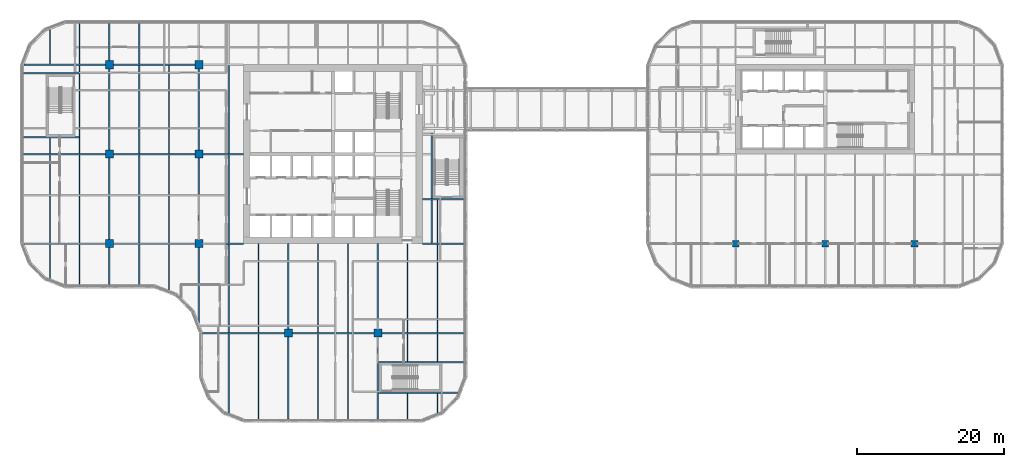
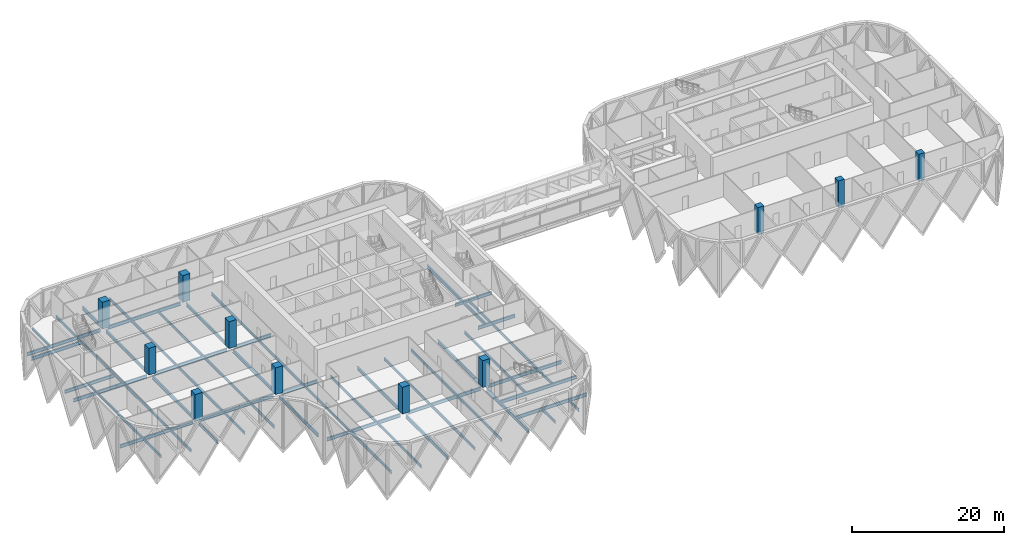
# One storey, part 1 of 30: 61 beams, 11 columns.
"""IFC4 building model written with IfcOpenShell, lengths in metres."""

import ifcopenshell
import ifcopenshell.guid

model = None  # the IFC model being written
_history = None  # IfcOwnerHistory: only IFC2X3 demands one
_inside = {}  # id of a spatial element -> (the spatial element, [elements in it])
_under = {}  # id of a project, library or spatial element -> (it, [spatial elements below it])
_declared = {}  # id of a project -> (the project, [libraries it declares])
_typed = {}  # id of a type object -> (the type object, [elements of that type])
_made_of = {}  # id of a material, layer set ... -> (it, [elements and type objects made of it])


def new_model(schema):
    """Start an empty IFC model of exactly this schema.

    Asked for "IFC4X3", IfcOpenShell would pick the latest addendum, in which some entities
    have other attributes; the version numbers below select the first issue.
    IFC2X3 requires an IfcOwnerHistory on every rooted entity: one is made here for all.
    """
    global model, _history
    if schema == "IFC4X3":
        model = ifcopenshell.file(schema_version=(4, 3, 0, 0))
    else:
        model = ifcopenshell.file(schema=schema)
    _inside.clear()
    _under.clear()
    _declared.clear()
    _typed.clear()
    _made_of.clear()
    _history = None
    if model.schema == "IFC2X3":
        org = make("IfcOrganization", Name="unknown")
        user = make(
            "IfcPersonAndOrganization",
            ThePerson=make("IfcPerson", FamilyName="unknown"),
            TheOrganization=org,
        )
        app = make(
            "IfcApplication",
            ApplicationDeveloper=org,
            Version="unknown",
            ApplicationFullName="unknown",
            ApplicationIdentifier="unknown",
        )
        _history = make(
            "IfcOwnerHistory",
            OwningUser=user,
            OwningApplication=app,
            ChangeAction="ADDED",
            CreationDate=0,
        )
    return model


def make(cls, **values):
    """One entity of the class cls with the attributes given. An attribute that is None is left unset."""
    return model.create_entity(
        cls, **{name: value for name, value in values.items() if value is not None}
    )


def rooted(cls, **values):
    """An entity with a GlobalId (a new one), such as an element, a storey or a relation."""
    return make(cls, GlobalId=ifcopenshell.guid.new(), OwnerHistory=_history, **values)


def si_unit(unit_type, name, prefix=None):
    """IfcSIUnit, for example si_unit("LENGTHUNIT", "METRE", prefix="MILLI")."""
    return make("IfcSIUnit", UnitType=unit_type, Prefix=prefix, Name=name)


def assignment(units):
    """IfcUnitAssignment: the units of a project."""
    return None if units is None else make("IfcUnitAssignment", Units=units)


def point(xyz):
    """IfcCartesianPoint."""
    return None if xyz is None else make("IfcCartesianPoint", Coordinates=xyz)


def direction(xyz):
    """IfcDirection."""
    return None if xyz is None else make("IfcDirection", DirectionRatios=xyz)


def frame(location, z_axis=None, x_axis=None):
    """IfcAxis2Placement3D, a coordinate frame: its origin and axes. An axis left out is left unset."""
    return make(
        "IfcAxis2Placement3D",
        Location=point(location),
        Axis=direction(z_axis),
        RefDirection=direction(x_axis),
    )


def frame_2d(location, x_axis=None):
    """IfcAxis2Placement2D, a coordinate frame in the plane: its origin and x axis."""
    return make(
        "IfcAxis2Placement2D", Location=point(location), RefDirection=direction(x_axis)
    )


def origin():
    """The frame at (0, 0, 0) with its axes left unset."""
    return frame((0.0, 0.0, 0.0))


def origin_2d():
    """The frame at (0, 0) in the plane with its x axis left unset."""
    return frame_2d((0.0, 0.0))


def place(relative_to, where):
    """IfcLocalPlacement: puts the frame where relative to a parent placement (None: the world)."""
    return make(
        "IfcLocalPlacement", PlacementRelTo=relative_to, RelativePlacement=where
    )


def context(
    kind, dimensions, precision=None, world=None, true_north=None, identifier=None
):
    """IfcGeometricRepresentationContext, for example the 3D "Model" context."""
    return make(
        "IfcGeometricRepresentationContext",
        ContextIdentifier=identifier,
        ContextType=kind,
        CoordinateSpaceDimension=dimensions,
        Precision=precision,
        WorldCoordinateSystem=world,
        TrueNorth=true_north,
    )


def subcontext(parent, identifier, kind, view, scale=None):
    """IfcGeometricRepresentationSubContext, for example "Body" below "Model"."""
    return make(
        "IfcGeometricRepresentationSubContext",
        ContextIdentifier=identifier,
        ContextType=kind,
        ParentContext=parent,
        TargetScale=scale,
        TargetView=view,
    )


def project(units=None, contexts=None):
    """IfcProject with its units and contexts."""
    return rooted(
        "IfcProject",
        Name="project",
        RepresentationContexts=contexts,
        UnitsInContext=assignment(units),
    )


def spatial(cls, under=None, at=None, **own):
    """A site, building, storey or space (cls), placed at a placement, below another one or the project."""
    s = rooted(cls, ObjectPlacement=at, **own)
    if under is not None:
        _under.setdefault(under.id(), (under, []))[1].append(s)
    return s


def profile(cls, at=None, kind="AREA", **sizes):
    """A parametric profile (cls). Its sizes go by their IFC names, for example OverallWidth=200.0."""
    return make(cls, ProfileType=kind, Position=at, **sizes)


def rectangle(**sizes):
    """IfcRectangleProfileDef."""
    return profile("IfcRectangleProfileDef", **sizes)


def i_section(**sizes):
    """IfcIShapeProfileDef."""
    return profile("IfcIShapeProfileDef", **sizes)


def extrude(swept, where, along, depth):
    """IfcExtrudedAreaSolid: the profile swept, set in the frame where, extruded along a direction by depth."""
    return make(
        "IfcExtrudedAreaSolid",
        SweptArea=swept,
        Position=where,
        ExtrudedDirection=direction(along),
        Depth=depth,
    )


def shape(context_of_items, identifier, shape_type, items):
    """IfcShapeRepresentation: the items that make up one representation, for example the "Body"."""
    return make(
        "IfcShapeRepresentation",
        ContextOfItems=context_of_items,
        RepresentationIdentifier=identifier,
        RepresentationType=shape_type,
        Items=items,
    )


def material(Name=None, Category=None):
    """IfcMaterial."""
    return make("IfcMaterial", Name=Name, Category=Category)


def material_profile(
    of_material, cross_section, Name=None, Category=None, Priority=None
):
    """IfcMaterialProfile: a cross section and its material."""
    return make(
        "IfcMaterialProfile",
        Name=Name,
        Material=of_material,
        Profile=cross_section,
        Priority=Priority,
        Category=Category,
    )


def profile_set(profiles, Name=None, composite=None):
    """IfcMaterialProfileSet."""
    return make(
        "IfcMaterialProfileSet",
        Name=Name,
        MaterialProfiles=profiles,
        CompositeProfile=composite,
    )


def made_of(thing, what):
    """Note that an element or type object is made of a material, layer set ...; save() writes the relation."""
    if what is not None:
        _made_of.setdefault(what.id(), (what, []))[1].append(thing)
    return thing


def type_object(cls, material=None, **own):
    """A type object (cls), such as IfcWallType, which elements share."""
    return made_of(rooted(cls, **own), material)


def element(
    cls,
    number,
    at=None,
    inside=None,
    cuts=None,
    type_object=None,
    material=None,
    context=None,
    identifier="Body",
    shape_type=None,
    held_by="IfcProductDefinitionShape",
    body=None,
    shapes=None,
    **own,
):
    """One element of the class cls, such as IfcWall. Its Tag is "e" and its number.

    at: its placement. inside: the storey or other place that contains it. cuts: it is an
    opening in that element (IfcRelVoidsElement). A single representation is given by context,
    identifier, shape_type and body (its items); several are given by shapes. held_by: the class
    of the entity that holds the representations. save() writes the other relations.
    """
    e = rooted(cls, Tag="e%d" % number, ObjectPlacement=at, **own)
    if body is not None:
        shapes = [shape(context, identifier, shape_type, body)]
    if shapes is not None:
        e.Representation = make(held_by, Representations=shapes)
    if inside is not None:
        _inside.setdefault(inside.id(), (inside, []))[1].append(e)
    if cuts is not None:
        rooted(
            "IfcRelVoidsElement", RelatingBuildingElement=cuts, RelatedOpeningElement=e
        )
    if type_object is not None:
        _typed.setdefault(type_object.id(), (type_object, []))[1].append(e)
    return made_of(e, material)


def aggregate(whole, parts):
    """IfcRelAggregates: a whole, such as a stair, and the parts it consists of."""
    return rooted("IfcRelAggregates", RelatingObject=whole, RelatedObjects=parts)


def save(model, path):
    """Write the relations noted so far, then the file.

    IfcRelAggregates (storeys below a building ...), IfcRelContainedInSpatialStructure (elements
    in a storey), IfcRelDefinesByType, IfcRelAssociatesMaterial and IfcRelDeclares: one each for
    every whole, place, type object, material and project.
    """
    for whole, parts in _under.values():
        aggregate(whole, parts)
    for where, things in _inside.values():
        rooted(
            "IfcRelContainedInSpatialStructure",
            RelatedElements=things,
            RelatingStructure=where,
        )
    for kind, things in _typed.values():
        rooted("IfcRelDefinesByType", RelatedObjects=things, RelatingType=kind)
    for what, things in _made_of.values():
        rooted("IfcRelAssociatesMaterial", RelatedObjects=things, RelatingMaterial=what)
    for by, libraries in _declared.values():
        rooted("IfcRelDeclares", RelatingContext=by, RelatedDefinitions=libraries)
    model.write(path)


model = new_model("IFC4")

# Units and contexts
model_context = context("Model", 3, precision=1e-05, world=origin(), true_north=direction((0.0, 1.0)))
body_context = subcontext(model_context, "Body", "Model", "MODEL_VIEW")
ifc_project = project(units=[si_unit("LENGTHUNIT", "METRE"), si_unit("AREAUNIT", "SQUARE_METRE"), si_unit("VOLUMEUNIT", "CUBIC_METRE"), si_unit("PLANEANGLEUNIT", "RADIAN"), si_unit("MASSUNIT", "GRAM", prefix="KILO")], contexts=[model_context])

# Site, building, storey
site_placement = place(None, origin())
site = spatial("IfcSite", under=ifc_project, at=site_placement, CompositionType="ELEMENT")
building_placement = place(site_placement, origin())
building = spatial("IfcBuilding", under=site, at=building_placement, Name="Tessera Gate Towers", CompositionType="ELEMENT")
storey_placement = place(building_placement, frame((0.0, 0.0, 21.300048828125)))
storey = spatial("IfcBuildingStorey", under=building, at=storey_placement, Name="L04", CompositionType="ELEMENT", Elevation=21.300048828125)

# Columns
ifc_material_1 = material(Name="Concrete C70/85", Category="concrete")
ifc_material_profile_1 = material_profile(ifc_material_1, rectangle(XDim=1.10009765625, YDim=1.10009765625, at=origin_2d()), Name="RC 1100x1100")
ifc_profile_set_1 = profile_set([ifc_material_profile_1], Name="Concrete C70/85")
column_type_1 = type_object("IfcColumnType", Name="COLUMN RC 1100x1100", PredefinedType="COLUMN", material=ifc_profile_set_1)
for number, where, z_axis, x_axis, name in (
    (1, (12.199951171875, 24.39990234375, 0.0), (0.0, 0.0, 1.0), (1.0, 0.0, 0.0), "T1-COL-2C-L04"),
    (2, (12.199951171875, 36.60009765625, 0.0), (0.0, 0.0, 1.0), (1.0, 0.0, 0.0), "T1-COL-2D-L04"),
    (3, (12.199951171875, 48.800048828125, 0.0), (0.0, 0.0, 1.0), (1.0, 0.0, 0.0), "T1-COL-2E-L04"),
    (4, (24.39990234375, 24.39990234375, 0.0), (0.0, 0.0, 1.0), (1.0, 0.0, 0.0), "T1-COL-3C-L04"),
    (5, (24.39990234375, 36.60009765625, 0.0), (0.0, 0.0, 1.0), (1.0, 0.0, 0.0), "T1-COL-3D-L04"),
    (6, (24.39990234375, 48.800048828125, 0.0), (0.0, 0.0, 1.0), (1.0, 0.0, 0.0), "T1-COL-3E-L04"),
    (7, (36.60009765625, 12.199951171875, 0.0), (0.0, 0.0, 1.0), (1.0, 0.0, 0.0), "T1-COL-4B-L04"),
    (8, (48.800048828125, 12.199951171875, 0.0), (0.0, 0.0, 1.0), (1.0, 0.0, 0.0), "T1-COL-5B-L04"),
):
    element("IfcColumn", number, at=place(storey_placement, frame(where, z_axis=z_axis, x_axis=x_axis)), inside=storey, type_object=column_type_1, Name=name, PredefinedType="COLUMN", context=body_context, shape_type="SweptSolid", body=[
        extrude(rectangle(XDim=1.10009765625, YDim=1.10009765625, at=origin_2d()), origin(), (0.0, 0.0, 1.0), 4.300048828125),
    ])
ifc_material_2 = material(Name="Concrete C70/85", Category="concrete")
ifc_material_profile_2 = material_profile(ifc_material_2, rectangle(XDim=0.89990234375, YDim=0.89990234375, at=origin_2d()), Name="RC 900x900")
ifc_profile_set_2 = profile_set([ifc_material_profile_2], Name="Concrete C70/85")
column_type_2 = type_object("IfcColumnType", Name="COLUMN RC 900x900", PredefinedType="COLUMN", material=ifc_profile_set_2)
for number, where, z_axis, x_axis, name in (
    (9, (97.60009765625, 24.39990234375, 0.0), (0.0, 0.0, 1.0), (1.0, 0.0, 0.0), "T2-COL-9C-L04"),
    (10, (109.800048828125, 24.39990234375, 0.0), (0.0, 0.0, 1.0), (1.0, 0.0, 0.0), "T2-COL-10C-L04"),
    (11, (122.0, 24.39990234375, 0.0), (0.0, 0.0, 1.0), (1.0, 0.0, 0.0), "T2-COL-11C-L04"),
):
    element("IfcColumn", number, at=place(storey_placement, frame(where, z_axis=z_axis, x_axis=x_axis)), inside=storey, type_object=column_type_2, Name=name, PredefinedType="COLUMN", context=body_context, shape_type="SweptSolid", body=[
        extrude(rectangle(XDim=0.89990234375, YDim=0.89990234375, at=origin_2d()), origin(), (0.0, 0.0, 1.0), 4.300048828125),
    ])

# Beams
ifc_material_3 = material(Name="Steel 350W", Category="steel")
ifc_material_profile_3 = material_profile(ifc_material_3, i_section(OverallWidth=0.208984375, OverallDepth=0.532958984375, WebThickness=0.01025390625, FlangeThickness=0.015625, at=origin_2d()), Name="W530x92")
ifc_profile_set_3 = profile_set([ifc_material_profile_3], Name="Steel 350W")
beam_type_1 = type_object("IfcBeamType", Name="FLOOR GIRDER W530x92", PredefinedType="BEAM", material=ifc_profile_set_3)
beam_1_placement = place(storey_placement, frame((24.89892578125, 12.199951171875, -0.466552734375), z_axis=(1.0, 0.0, 0.0), x_axis=(0.0, 1.0, 0.0)))
element("IfcBeam", 12, at=beam_1_placement, inside=storey, type_object=beam_type_1, Name="T1-GD-L04-791", PredefinedType="BEAM", context=body_context, shape_type="SweptSolid", body=[
    extrude(i_section(OverallWidth=0.208984375, OverallDepth=0.532958984375, WebThickness=0.01025390625, FlangeThickness=0.015625, at=origin_2d()), origin(), (0.0, 0.0, 1.0), 11.151123046875),
])
beam_2_placement = place(storey_placement, frame((37.14990234375, 12.199951171875, -0.466552734375), z_axis=(1.0, 0.0, 0.0), x_axis=(0.0, 1.0, 0.0)))
element("IfcBeam", 13, at=beam_2_placement, inside=storey, type_object=beam_type_1, Name="T1-GD-L04-792", PredefinedType="BEAM", context=body_context, shape_type="SweptSolid", body=[
    extrude(i_section(OverallWidth=0.208984375, OverallDepth=0.532958984375, WebThickness=0.01025390625, FlangeThickness=0.015625, at=origin_2d()), origin(), (0.0, 0.0, 1.0), 11.10009765625),
])
beam_3_placement = place(storey_placement, frame((49.35009765625, 12.199951171875, -0.466552734375), z_axis=(1.0, 0.0, 0.0), x_axis=(0.0, 1.0, 0.0)))
element("IfcBeam", 14, at=beam_3_placement, inside=storey, type_object=beam_type_1, Name="T1-GD-L04-793", PredefinedType="BEAM", context=body_context, shape_type="SweptSolid", body=[
    extrude(i_section(OverallWidth=0.208984375, OverallDepth=0.532958984375, WebThickness=0.01025390625, FlangeThickness=0.015625, at=origin_2d()), origin(), (0.0, 0.0, 1.0), 11.15087890625),
])
beam_4_placement = place(storey_placement, frame((0.534912109375, 24.39990234375, -0.466552734375), z_axis=(1.0, 0.0, 0.0), x_axis=(0.0, 1.0, 0.0)))
element("IfcBeam", 15, at=beam_4_placement, inside=storey, type_object=beam_type_1, Name="T1-GD-L04-794", PredefinedType="BEAM", context=body_context, shape_type="SweptSolid", body=[
    extrude(i_section(OverallWidth=0.208984375, OverallDepth=0.532958984375, WebThickness=0.01025390625, FlangeThickness=0.015625, at=origin_2d()), origin(), (0.0, 0.0, 1.0), 11.114990234375),
])
beam_5_placement = place(storey_placement, frame((12.75, 24.39990234375, -0.466552734375), z_axis=(1.0, 0.0, 0.0), x_axis=(0.0, 1.0, 0.0)))
element("IfcBeam", 16, at=beam_5_placement, inside=storey, type_object=beam_type_1, Name="T1-GD-L04-795", PredefinedType="BEAM", context=body_context, shape_type="SweptSolid", body=[
    extrude(i_section(OverallWidth=0.208984375, OverallDepth=0.532958984375, WebThickness=0.01025390625, FlangeThickness=0.015625, at=origin_2d()), origin(), (0.0, 0.0, 1.0), 11.10009765625),
])
beam_6_placement = place(storey_placement, frame((24.949951171875, 24.39990234375, -0.466552734375), z_axis=(1.0, 0.0, 0.0), x_axis=(0.0, 1.0, 0.0)))
element("IfcBeam", 17, at=beam_6_placement, inside=storey, type_object=beam_type_1, Name="T1-GD-L04-796", PredefinedType="BEAM", context=body_context, shape_type="SweptSolid", body=[
    extrude(i_section(OverallWidth=0.208984375, OverallDepth=0.532958984375, WebThickness=0.01025390625, FlangeThickness=0.015625, at=origin_2d()), origin(), (0.0, 0.0, 1.0), 5.549072265625),
])
beam_7_placement = place(storey_placement, frame((54.90087890625, 24.39990234375, -0.466552734375), z_axis=(1.0, 0.0, 0.0), x_axis=(0.0, 1.0, 0.0)))
element("IfcBeam", 18, at=beam_7_placement, inside=storey, type_object=beam_type_1, Name="T1-GD-L04-797", PredefinedType="BEAM", context=body_context, shape_type="SweptSolid", body=[
    extrude(i_section(OverallWidth=0.208984375, OverallDepth=0.532958984375, WebThickness=0.01025390625, FlangeThickness=0.015625, at=origin_2d()), origin(), (0.0, 0.0, 1.0), 5.60009765625),
])
beam_8_placement = place(storey_placement, frame((0.4990234375, 36.60009765625, -0.466552734375), z_axis=(1.0, 0.0, 0.0), x_axis=(0.0, 1.0, 0.0)))
element("IfcBeam", 19, at=beam_8_placement, inside=storey, type_object=beam_type_1, Name="T1-GD-L04-798", PredefinedType="BEAM", context=body_context, shape_type="SweptSolid", body=[
    extrude(i_section(OverallWidth=0.208984375, OverallDepth=0.532958984375, WebThickness=0.01025390625, FlangeThickness=0.015625, at=origin_2d()), origin(), (0.0, 0.0, 1.0), 11.15087890625),
])
beam_9_placement = place(storey_placement, frame((12.75, 36.60009765625, -0.466552734375), z_axis=(1.0, 0.0, 0.0), x_axis=(0.0, 1.0, 0.0)))
element("IfcBeam", 20, at=beam_9_placement, inside=storey, type_object=beam_type_1, Name="T1-GD-L04-799", PredefinedType="BEAM", context=body_context, shape_type="SweptSolid", body=[
    extrude(i_section(OverallWidth=0.208984375, OverallDepth=0.532958984375, WebThickness=0.01025390625, FlangeThickness=0.015625, at=origin_2d()), origin(), (0.0, 0.0, 1.0), 11.10009765625),
])
beam_10_placement = place(storey_placement, frame((24.949951171875, 36.60009765625, -0.466552734375), z_axis=(1.0, 0.0, 0.0), x_axis=(0.0, 1.0, 0.0)))
element("IfcBeam", 21, at=beam_10_placement, inside=storey, type_object=beam_type_1, Name="T1-GD-L04-800", PredefinedType="BEAM", context=body_context, shape_type="SweptSolid", body=[
    extrude(i_section(OverallWidth=0.208984375, OverallDepth=0.532958984375, WebThickness=0.01025390625, FlangeThickness=0.015625, at=origin_2d()), origin(), (0.0, 0.0, 1.0), 5.551025390625),
])
beam_11_placement = place(storey_placement, frame((0.534912109375, 48.800048828125, -0.466552734375), z_axis=(1.0, 0.0, 0.0), x_axis=(0.0, 1.0, 0.0)))
element("IfcBeam", 22, at=beam_11_placement, inside=storey, type_object=beam_type_1, Name="T1-GD-L04-802", PredefinedType="BEAM", context=body_context, shape_type="SweptSolid", body=[
    extrude(i_section(OverallWidth=0.208984375, OverallDepth=0.532958984375, WebThickness=0.01025390625, FlangeThickness=0.015625, at=origin_2d()), origin(), (0.0, 0.0, 1.0), 11.114990234375),
])
beam_12_placement = place(storey_placement, frame((12.75, 48.800048828125, -0.466552734375), z_axis=(1.0, 0.0, 0.0), x_axis=(0.0, 1.0, 0.0)))
element("IfcBeam", 23, at=beam_12_placement, inside=storey, type_object=beam_type_1, Name="T1-GD-L04-803", PredefinedType="BEAM", context=body_context, shape_type="SweptSolid", body=[
    extrude(i_section(OverallWidth=0.208984375, OverallDepth=0.532958984375, WebThickness=0.01025390625, FlangeThickness=0.015625, at=origin_2d()), origin(), (0.0, 0.0, 1.0), 11.10009765625),
])
beam_13_placement = place(storey_placement, frame((12.199951171875, 18.799072265625, -0.466552734375), z_axis=(0.0, 1.0, 0.0), x_axis=(-1.0, 0.0, 0.0)))
element("IfcBeam", 24, at=beam_13_placement, inside=storey, type_object=beam_type_1, Name="T1-GD-L04-806", PredefinedType="BEAM", context=body_context, shape_type="SweptSolid", body=[
    extrude(i_section(OverallWidth=0.208984375, OverallDepth=0.532958984375, WebThickness=0.01025390625, FlangeThickness=0.015625, at=origin_2d()), origin(), (0.0, 0.0, 1.0), 5.051025390625),
])
for number, where, z_axis, x_axis, name in (
    (25, (12.199951171875, 24.949951171875, -0.466552734375), (0.0, 1.0, 0.0), (-1.0, 0.0, 0.0), "T1-GD-L04-807"),
    (26, (12.199951171875, 37.14990234375, -0.466552734375), (0.0, 1.0, 0.0), (-1.0, 0.0, 0.0), "T1-GD-L04-808"),
):
    element("IfcBeam", number, at=place(storey_placement, frame(where, z_axis=z_axis, x_axis=x_axis)), inside=storey, type_object=beam_type_1, Name=name, PredefinedType="BEAM", context=body_context, shape_type="SweptSolid", body=[
        extrude(i_section(OverallWidth=0.208984375, OverallDepth=0.532958984375, WebThickness=0.01025390625, FlangeThickness=0.015625, at=origin_2d()), origin(), (0.0, 0.0, 1.0), 11.10009765625),
    ])
beam_14_placement = place(storey_placement, frame((12.199951171875, 49.35009765625, -0.466552734375), z_axis=(0.0, 1.0, 0.0), x_axis=(-1.0, 0.0, 0.0)))
element("IfcBeam", 27, at=beam_14_placement, inside=storey, type_object=beam_type_1, Name="T1-GD-L04-809", PredefinedType="BEAM", context=body_context, shape_type="SweptSolid", body=[
    extrude(i_section(OverallWidth=0.208984375, OverallDepth=0.532958984375, WebThickness=0.01025390625, FlangeThickness=0.015625, at=origin_2d()), origin(), (0.0, 0.0, 1.0), 5.05078125),
])
beam_15_placement = place(storey_placement, frame((24.39990234375, 13.58642578125, -0.466552734375), z_axis=(0.0, 1.0, 0.0), x_axis=(-1.0, 0.0, 0.0)))
element("IfcBeam", 28, at=beam_15_placement, inside=storey, type_object=beam_type_1, Name="T1-GD-L04-810", PredefinedType="BEAM", context=body_context, shape_type="SweptSolid", body=[
    extrude(i_section(OverallWidth=0.208984375, OverallDepth=0.532958984375, WebThickness=0.01025390625, FlangeThickness=0.015625, at=origin_2d()), origin(), (0.0, 0.0, 1.0), 10.263671875),
])
for number, where, z_axis, x_axis, name in (
    (29, (24.39990234375, 24.949951171875, -0.466552734375), (0.0, 1.0, 0.0), (-1.0, 0.0, 0.0), "T1-GD-L04-811"),
    (30, (24.39990234375, 37.14990234375, -0.466552734375), (0.0, 1.0, 0.0), (-1.0, 0.0, 0.0), "T1-GD-L04-812"),
):
    element("IfcBeam", number, at=place(storey_placement, frame(where, z_axis=z_axis, x_axis=x_axis)), inside=storey, type_object=beam_type_1, Name=name, PredefinedType="BEAM", context=body_context, shape_type="SweptSolid", body=[
        extrude(i_section(OverallWidth=0.208984375, OverallDepth=0.532958984375, WebThickness=0.01025390625, FlangeThickness=0.015625, at=origin_2d()), origin(), (0.0, 0.0, 1.0), 11.10009765625),
    ])
beam_16_placement = place(storey_placement, frame((36.60009765625, 0.4990234375, -0.466552734375), z_axis=(0.0, 1.0, 0.0), x_axis=(-1.0, 0.0, 0.0)))
element("IfcBeam", 31, at=beam_16_placement, inside=storey, type_object=beam_type_1, Name="T1-GD-L04-814", PredefinedType="BEAM", context=body_context, shape_type="SweptSolid", body=[
    extrude(i_section(OverallWidth=0.208984375, OverallDepth=0.532958984375, WebThickness=0.01025390625, FlangeThickness=0.015625, at=origin_2d()), origin(), (0.0, 0.0, 1.0), 11.15087890625),
])
beam_17_placement = place(storey_placement, frame((36.60009765625, 12.75, -0.466552734375), z_axis=(0.0, 1.0, 0.0), x_axis=(-1.0, 0.0, 0.0)))
element("IfcBeam", 32, at=beam_17_placement, inside=storey, type_object=beam_type_1, Name="T1-GD-L04-815", PredefinedType="BEAM", context=body_context, shape_type="SweptSolid", body=[
    extrude(i_section(OverallWidth=0.208984375, OverallDepth=0.532958984375, WebThickness=0.01025390625, FlangeThickness=0.015625, at=origin_2d()), origin(), (0.0, 0.0, 1.0), 11.64990234375),
])
beam_18_placement = place(storey_placement, frame((48.800048828125, 0.4990234375, -0.466552734375), z_axis=(0.0, 1.0, 0.0), x_axis=(-1.0, 0.0, 0.0)))
element("IfcBeam", 33, at=beam_18_placement, inside=storey, type_object=beam_type_1, Name="T1-GD-L04-816", PredefinedType="BEAM", context=body_context, shape_type="SweptSolid", body=[
    extrude(i_section(OverallWidth=0.208984375, OverallDepth=0.532958984375, WebThickness=0.01025390625, FlangeThickness=0.015625, at=origin_2d()), origin(), (0.0, 0.0, 1.0), 11.15087890625),
])
beam_19_placement = place(storey_placement, frame((48.800048828125, 12.75, -0.466552734375), z_axis=(0.0, 1.0, 0.0), x_axis=(-1.0, 0.0, 0.0)))
element("IfcBeam", 34, at=beam_19_placement, inside=storey, type_object=beam_type_1, Name="T1-GD-L04-817", PredefinedType="BEAM", context=body_context, shape_type="SweptSolid", body=[
    extrude(i_section(OverallWidth=0.208984375, OverallDepth=0.532958984375, WebThickness=0.01025390625, FlangeThickness=0.015625, at=origin_2d()), origin(), (0.0, 0.0, 1.0), 11.64990234375),
])
for number, where, z_axis, x_axis, name in (
    (35, (0.4990234375, 38.8798828125, -0.466552734375), (1.0, 0.0, 0.0), (0.0, 1.0, 0.0), "T1-GD-L04-818"),
    (36, (0.4990234375, 47.6201171875, -0.466552734375), (1.0, 0.0, 0.0), (0.0, 1.0, 0.0), "T1-GD-L04-819"),
):
    element("IfcBeam", number, at=place(storey_placement, frame(where, z_axis=z_axis, x_axis=x_axis)), inside=storey, type_object=beam_type_1, Name=name, PredefinedType="BEAM", context=body_context, shape_type="SweptSolid", body=[
        extrude(i_section(OverallWidth=0.208984375, OverallDepth=0.532958984375, WebThickness=0.01025390625, FlangeThickness=0.015625, at=origin_2d()), origin(), (0.0, 0.0, 1.0), 7.557861328125),
    ])
beam_20_placement = place(storey_placement, frame((48.87646484375, 4.080078125, -0.466552734375), z_axis=(1.0, 0.0, 0.0), x_axis=(0.0, 1.0, 0.0)))
element("IfcBeam", 37, at=beam_20_placement, inside=storey, type_object=beam_type_1, Name="T1-GD-L04-820", PredefinedType="BEAM", context=body_context, shape_type="SweptSolid", body=[
    extrude(i_section(OverallWidth=0.208984375, OverallDepth=0.532958984375, WebThickness=0.01025390625, FlangeThickness=0.015625, at=origin_2d()), origin(), (0.0, 0.0, 1.0), 10.809326171875),
])
beam_21_placement = place(storey_placement, frame((48.87646484375, 8.219970703125, -0.466552734375), z_axis=(1.0, 0.0, 0.0), x_axis=(0.0, 1.0, 0.0)))
element("IfcBeam", 38, at=beam_21_placement, inside=storey, type_object=beam_type_1, Name="T1-GD-L04-821", PredefinedType="BEAM", context=body_context, shape_type="SweptSolid", body=[
    extrude(i_section(OverallWidth=0.208984375, OverallDepth=0.532958984375, WebThickness=0.01025390625, FlangeThickness=0.015625, at=origin_2d()), origin(), (0.0, 0.0, 1.0), 11.62451171875),
])
beam_22_placement = place(storey_placement, frame((54.89892578125, 30.47998046875, -0.466552734375), z_axis=(1.0, 0.0, 0.0), x_axis=(0.0, 1.0, 0.0)))
element("IfcBeam", 39, at=beam_22_placement, inside=storey, type_object=beam_type_1, Name="T1-GD-L04-822", PredefinedType="BEAM", context=body_context, shape_type="SweptSolid", body=[
    extrude(i_section(OverallWidth=0.208984375, OverallDepth=0.532958984375, WebThickness=0.01025390625, FlangeThickness=0.015625, at=origin_2d()), origin(), (0.0, 0.0, 1.0), 5.60205078125),
])
beam_23_placement = place(storey_placement, frame((56.179931640625, 24.50439453125, -0.466552734375), z_axis=(0.0, 1.0, 0.0), x_axis=(-1.0, 0.0, 0.0)))
element("IfcBeam", 40, at=beam_23_placement, inside=storey, type_object=beam_type_1, Name="T1-GD-L04-824", PredefinedType="BEAM", context=body_context, shape_type="SweptSolid", body=[
    extrude(i_section(OverallWidth=0.208984375, OverallDepth=0.532958984375, WebThickness=0.01025390625, FlangeThickness=0.015625, at=origin_2d()), origin(), (0.0, 0.0, 1.0), 15.445556640625),
])
ifc_material_4 = material(Name="Steel 350W", Category="steel")
ifc_material_profile_4 = material_profile(ifc_material_4, i_section(OverallWidth=0.153076171875, OverallDepth=0.455078125, WebThickness=0.008056640625, FlangeThickness=0.01318359375, at=origin_2d()), Name="W460x60")
ifc_profile_set_4 = profile_set([ifc_material_profile_4], Name="Steel 350W")
beam_type_2 = type_object("IfcBeamType", Name="FLOOR SECONDARY W460x60", PredefinedType="BEAM", material=ifc_profile_set_4)
beam_24_placement = place(storey_placement, frame((4.066650390625, 19.620361328125, -0.427490234375), z_axis=(0.0, 1.0, 0.0), x_axis=(-1.0, 0.0, 0.0)))
element("IfcBeam", 41, at=beam_24_placement, inside=storey, type_object=beam_type_2, Name="T1-BM-L04-827", PredefinedType="BEAM", context=body_context, shape_type="SweptSolid", body=[
    extrude(i_section(OverallWidth=0.153076171875, OverallDepth=0.455078125, WebThickness=0.008056640625, FlangeThickness=0.01318359375, at=origin_2d()), origin(), (0.0, 0.0, 1.0), 4.675048828125),
])
beam_25_placement = place(storey_placement, frame((4.066650390625, 24.50439453125, -0.427490234375), z_axis=(0.0, 1.0, 0.0), x_axis=(-1.0, 0.0, 0.0)))
element("IfcBeam", 42, at=beam_25_placement, inside=storey, type_object=beam_type_2, Name="T1-BM-L04-828", PredefinedType="BEAM", context=body_context, shape_type="SweptSolid", body=[
    extrude(i_section(OverallWidth=0.153076171875, OverallDepth=0.455078125, WebThickness=0.008056640625, FlangeThickness=0.01318359375, at=origin_2d()), origin(), (0.0, 0.0, 1.0), 11.9912109375),
])
beam_26_placement = place(storey_placement, frame((4.066650390625, 36.70458984375, -0.427490234375), z_axis=(0.0, 1.0, 0.0), x_axis=(-1.0, 0.0, 0.0)))
element("IfcBeam", 43, at=beam_26_placement, inside=storey, type_object=beam_type_2, Name="T1-BM-L04-829", PredefinedType="BEAM", context=body_context, shape_type="SweptSolid", body=[
    extrude(i_section(OverallWidth=0.153076171875, OverallDepth=0.455078125, WebThickness=0.008056640625, FlangeThickness=0.01318359375, at=origin_2d()), origin(), (0.0, 0.0, 1.0), 2.07080078125),
])
beam_27_placement = place(storey_placement, frame((4.066650390625, 48.904541015625, -0.427490234375), z_axis=(0.0, 1.0, 0.0), x_axis=(-1.0, 0.0, 0.0)))
element("IfcBeam", 44, at=beam_27_placement, inside=storey, type_object=beam_type_2, Name="T1-BM-L04-830", PredefinedType="BEAM", context=body_context, shape_type="SweptSolid", body=[
    extrude(i_section(OverallWidth=0.153076171875, OverallDepth=0.455078125, WebThickness=0.008056640625, FlangeThickness=0.01318359375, at=origin_2d()), origin(), (0.0, 0.0, 1.0), 4.675048828125),
])
beam_28_placement = place(storey_placement, frame((8.13330078125, 18.800048828125, -0.427490234375), z_axis=(0.0, 1.0, 0.0), x_axis=(-1.0, 0.0, 0.0)))
element("IfcBeam", 45, at=beam_28_placement, inside=storey, type_object=beam_type_2, Name="T1-BM-L04-831", PredefinedType="BEAM", context=body_context, shape_type="SweptSolid", body=[
    extrude(i_section(OverallWidth=0.153076171875, OverallDepth=0.455078125, WebThickness=0.008056640625, FlangeThickness=0.01318359375, at=origin_2d()), origin(), (0.0, 0.0, 1.0), 5.495361328125),
])
beam_29_placement = place(storey_placement, frame((8.13330078125, 24.50439453125, -0.427490234375), z_axis=(0.0, 1.0, 0.0), x_axis=(-1.0, 0.0, 0.0)))
element("IfcBeam", 46, at=beam_29_placement, inside=storey, type_object=beam_type_2, Name="T1-BM-L04-832", PredefinedType="BEAM", context=body_context, shape_type="SweptSolid", body=[
    extrude(i_section(OverallWidth=0.153076171875, OverallDepth=0.455078125, WebThickness=0.008056640625, FlangeThickness=0.01318359375, at=origin_2d()), origin(), (0.0, 0.0, 1.0), 11.9912109375),
])
beam_30_placement = place(storey_placement, frame((8.13330078125, 36.70458984375, -0.427490234375), z_axis=(0.0, 1.0, 0.0), x_axis=(-1.0, 0.0, 0.0)))
element("IfcBeam", 47, at=beam_30_placement, inside=storey, type_object=beam_type_2, Name="T1-BM-L04-833", PredefinedType="BEAM", context=body_context, shape_type="SweptSolid", body=[
    extrude(i_section(OverallWidth=0.153076171875, OverallDepth=0.455078125, WebThickness=0.008056640625, FlangeThickness=0.01318359375, at=origin_2d()), origin(), (0.0, 0.0, 1.0), 11.990966796875),
])
for number, where, z_axis, x_axis, name in (
    (48, (8.13330078125, 48.904541015625, -0.427490234375), (0.0, 1.0, 0.0), (-1.0, 0.0, 0.0), "T1-BM-L04-834"),
    (49, (16.2666015625, 18.800048828125, -0.427490234375), (0.0, 1.0, 0.0), (-1.0, 0.0, 0.0), "T1-BM-L04-835"),
):
    element("IfcBeam", number, at=place(storey_placement, frame(where, z_axis=z_axis, x_axis=x_axis)), inside=storey, type_object=beam_type_2, Name=name, PredefinedType="BEAM", context=body_context, shape_type="SweptSolid", body=[
        extrude(i_section(OverallWidth=0.153076171875, OverallDepth=0.455078125, WebThickness=0.008056640625, FlangeThickness=0.01318359375, at=origin_2d()), origin(), (0.0, 0.0, 1.0), 5.495361328125),
    ])
beam_31_placement = place(storey_placement, frame((16.2666015625, 24.50439453125, -0.427490234375), z_axis=(0.0, 1.0, 0.0), x_axis=(-1.0, 0.0, 0.0)))
element("IfcBeam", 50, at=beam_31_placement, inside=storey, type_object=beam_type_2, Name="T1-BM-L04-836", PredefinedType="BEAM", context=body_context, shape_type="SweptSolid", body=[
    extrude(i_section(OverallWidth=0.153076171875, OverallDepth=0.455078125, WebThickness=0.008056640625, FlangeThickness=0.01318359375, at=origin_2d()), origin(), (0.0, 0.0, 1.0), 11.9912109375),
])
beam_32_placement = place(storey_placement, frame((16.2666015625, 36.70458984375, -0.427490234375), z_axis=(0.0, 1.0, 0.0), x_axis=(-1.0, 0.0, 0.0)))
element("IfcBeam", 51, at=beam_32_placement, inside=storey, type_object=beam_type_2, Name="T1-BM-L04-837", PredefinedType="BEAM", context=body_context, shape_type="SweptSolid", body=[
    extrude(i_section(OverallWidth=0.153076171875, OverallDepth=0.455078125, WebThickness=0.008056640625, FlangeThickness=0.01318359375, at=origin_2d()), origin(), (0.0, 0.0, 1.0), 11.990966796875),
])
beam_33_placement = place(storey_placement, frame((16.2666015625, 48.904541015625, -0.427490234375), z_axis=(0.0, 1.0, 0.0), x_axis=(-1.0, 0.0, 0.0)))
element("IfcBeam", 52, at=beam_33_placement, inside=storey, type_object=beam_type_2, Name="T1-BM-L04-838", PredefinedType="BEAM", context=body_context, shape_type="SweptSolid", body=[
    extrude(i_section(OverallWidth=0.153076171875, OverallDepth=0.455078125, WebThickness=0.008056640625, FlangeThickness=0.01318359375, at=origin_2d()), origin(), (0.0, 0.0, 1.0), 5.495361328125),
])
beam_34_placement = place(storey_placement, frame((20.333251953125, 18.051513671875, -0.427490234375), z_axis=(0.0, 1.0, 0.0), x_axis=(-1.0, 0.0, 0.0)))
element("IfcBeam", 53, at=beam_34_placement, inside=storey, type_object=beam_type_2, Name="T1-BM-L04-839", PredefinedType="BEAM", context=body_context, shape_type="SweptSolid", body=[
    extrude(i_section(OverallWidth=0.153076171875, OverallDepth=0.455078125, WebThickness=0.008056640625, FlangeThickness=0.01318359375, at=origin_2d()), origin(), (0.0, 0.0, 1.0), 6.243896484375),
])
beam_35_placement = place(storey_placement, frame((20.333251953125, 24.50439453125, -0.427490234375), z_axis=(0.0, 1.0, 0.0), x_axis=(-1.0, 0.0, 0.0)))
element("IfcBeam", 54, at=beam_35_placement, inside=storey, type_object=beam_type_2, Name="T1-BM-L04-840", PredefinedType="BEAM", context=body_context, shape_type="SweptSolid", body=[
    extrude(i_section(OverallWidth=0.153076171875, OverallDepth=0.455078125, WebThickness=0.008056640625, FlangeThickness=0.01318359375, at=origin_2d()), origin(), (0.0, 0.0, 1.0), 11.9912109375),
])
beam_36_placement = place(storey_placement, frame((20.333251953125, 36.70458984375, -0.427490234375), z_axis=(0.0, 1.0, 0.0), x_axis=(-1.0, 0.0, 0.0)))
element("IfcBeam", 55, at=beam_36_placement, inside=storey, type_object=beam_type_2, Name="T1-BM-L04-841", PredefinedType="BEAM", context=body_context, shape_type="SweptSolid", body=[
    extrude(i_section(OverallWidth=0.153076171875, OverallDepth=0.455078125, WebThickness=0.008056640625, FlangeThickness=0.01318359375, at=origin_2d()), origin(), (0.0, 0.0, 1.0), 11.990966796875),
])
beam_37_placement = place(storey_placement, frame((28.466796875, 1.3203125, -0.427490234375), z_axis=(0.0, 1.0, 0.0), x_axis=(-1.0, 0.0, 0.0)))
element("IfcBeam", 56, at=beam_37_placement, inside=storey, type_object=beam_type_2, Name="T1-BM-L04-843", PredefinedType="BEAM", context=body_context, shape_type="SweptSolid", body=[
    extrude(i_section(OverallWidth=0.153076171875, OverallDepth=0.455078125, WebThickness=0.008056640625, FlangeThickness=0.01318359375, at=origin_2d()), origin(), (0.0, 0.0, 1.0), 10.775146484375),
])
beam_38_placement = place(storey_placement, frame((28.466796875, 12.304443359375, -0.427490234375), z_axis=(0.0, 1.0, 0.0), x_axis=(-1.0, 0.0, 0.0)))
element("IfcBeam", 57, at=beam_38_placement, inside=storey, type_object=beam_type_2, Name="T1-BM-L04-844", PredefinedType="BEAM", context=body_context, shape_type="SweptSolid", body=[
    extrude(i_section(OverallWidth=0.153076171875, OverallDepth=0.455078125, WebThickness=0.008056640625, FlangeThickness=0.01318359375, at=origin_2d()), origin(), (0.0, 0.0, 1.0), 11.990966796875),
])
beam_39_placement = place(storey_placement, frame((28.466796875, 24.50439453125, -0.427490234375), z_axis=(0.0, 1.0, 0.0), x_axis=(-1.0, 0.0, 0.0)))
element("IfcBeam", 58, at=beam_39_placement, inside=storey, type_object=beam_type_2, Name="T1-BM-L04-845", PredefinedType="BEAM", context=body_context, shape_type="SweptSolid", body=[
    extrude(i_section(OverallWidth=0.153076171875, OverallDepth=0.455078125, WebThickness=0.008056640625, FlangeThickness=0.01318359375, at=origin_2d()), origin(), (0.0, 0.0, 1.0), 11.9912109375),
])
beam_40_placement = place(storey_placement, frame((28.466796875, 36.70458984375, -0.427490234375), z_axis=(0.0, 1.0, 0.0), x_axis=(-1.0, 0.0, 0.0)))
element("IfcBeam", 59, at=beam_40_placement, inside=storey, type_object=beam_type_2, Name="T1-BM-L04-846", PredefinedType="BEAM", context=body_context, shape_type="SweptSolid", body=[
    extrude(i_section(OverallWidth=0.153076171875, OverallDepth=0.455078125, WebThickness=0.008056640625, FlangeThickness=0.01318359375, at=origin_2d()), origin(), (0.0, 0.0, 1.0), 11.990966796875),
])
beam_41_placement = place(storey_placement, frame((32.533203125, 0.5, -0.427490234375), z_axis=(0.0, 1.0, 0.0), x_axis=(-1.0, 0.0, 0.0)))
element("IfcBeam", 60, at=beam_41_placement, inside=storey, type_object=beam_type_2, Name="T1-BM-L04-848", PredefinedType="BEAM", context=body_context, shape_type="SweptSolid", body=[
    extrude(i_section(OverallWidth=0.153076171875, OverallDepth=0.455078125, WebThickness=0.008056640625, FlangeThickness=0.01318359375, at=origin_2d()), origin(), (0.0, 0.0, 1.0), 11.595458984375),
])
beam_42_placement = place(storey_placement, frame((32.533203125, 12.304443359375, -0.427490234375), z_axis=(0.0, 1.0, 0.0), x_axis=(-1.0, 0.0, 0.0)))
element("IfcBeam", 61, at=beam_42_placement, inside=storey, type_object=beam_type_2, Name="T1-BM-L04-849", PredefinedType="BEAM", context=body_context, shape_type="SweptSolid", body=[
    extrude(i_section(OverallWidth=0.153076171875, OverallDepth=0.455078125, WebThickness=0.008056640625, FlangeThickness=0.01318359375, at=origin_2d()), origin(), (0.0, 0.0, 1.0), 12.095458984375),
])
beam_43_placement = place(storey_placement, frame((40.666748046875, 0.5, -0.427490234375), z_axis=(0.0, 1.0, 0.0), x_axis=(-1.0, 0.0, 0.0)))
element("IfcBeam", 62, at=beam_43_placement, inside=storey, type_object=beam_type_2, Name="T1-BM-L04-852", PredefinedType="BEAM", context=body_context, shape_type="SweptSolid", body=[
    extrude(i_section(OverallWidth=0.153076171875, OverallDepth=0.455078125, WebThickness=0.008056640625, FlangeThickness=0.01318359375, at=origin_2d()), origin(), (0.0, 0.0, 1.0), 11.595458984375),
])
beam_44_placement = place(storey_placement, frame((40.666748046875, 12.304443359375, -0.427490234375), z_axis=(0.0, 1.0, 0.0), x_axis=(-1.0, 0.0, 0.0)))
element("IfcBeam", 63, at=beam_44_placement, inside=storey, type_object=beam_type_2, Name="T1-BM-L04-853", PredefinedType="BEAM", context=body_context, shape_type="SweptSolid", body=[
    extrude(i_section(OverallWidth=0.153076171875, OverallDepth=0.455078125, WebThickness=0.008056640625, FlangeThickness=0.01318359375, at=origin_2d()), origin(), (0.0, 0.0, 1.0), 12.095458984375),
])
beam_45_placement = place(storey_placement, frame((44.7333984375, 0.5, -0.427490234375), z_axis=(0.0, 1.0, 0.0), x_axis=(-1.0, 0.0, 0.0)))
element("IfcBeam", 64, at=beam_45_placement, inside=storey, type_object=beam_type_2, Name="T1-BM-L04-855", PredefinedType="BEAM", context=body_context, shape_type="SweptSolid", body=[
    extrude(i_section(OverallWidth=0.153076171875, OverallDepth=0.455078125, WebThickness=0.008056640625, FlangeThickness=0.01318359375, at=origin_2d()), origin(), (0.0, 0.0, 1.0), 11.595458984375),
])
beam_46_placement = place(storey_placement, frame((44.7333984375, 12.304443359375, -0.427490234375), z_axis=(0.0, 1.0, 0.0), x_axis=(-1.0, 0.0, 0.0)))
element("IfcBeam", 65, at=beam_46_placement, inside=storey, type_object=beam_type_2, Name="T1-BM-L04-856", PredefinedType="BEAM", context=body_context, shape_type="SweptSolid", body=[
    extrude(i_section(OverallWidth=0.153076171875, OverallDepth=0.455078125, WebThickness=0.008056640625, FlangeThickness=0.01318359375, at=origin_2d()), origin(), (0.0, 0.0, 1.0), 12.095458984375),
])
beam_47_placement = place(storey_placement, frame((52.86669921875, 0.5, -0.427490234375), z_axis=(0.0, 1.0, 0.0), x_axis=(-1.0, 0.0, 0.0)))
element("IfcBeam", 66, at=beam_47_placement, inside=storey, type_object=beam_type_2, Name="T1-BM-L04-859", PredefinedType="BEAM", context=body_context, shape_type="SweptSolid", body=[
    extrude(i_section(OverallWidth=0.153076171875, OverallDepth=0.455078125, WebThickness=0.008056640625, FlangeThickness=0.01318359375, at=origin_2d()), origin(), (0.0, 0.0, 1.0), 3.4755859375),
])
beam_48_placement = place(storey_placement, frame((52.86669921875, 8.324462890625, -0.427490234375), z_axis=(0.0, 1.0, 0.0), x_axis=(-1.0, 0.0, 0.0)))
element("IfcBeam", 67, at=beam_48_placement, inside=storey, type_object=beam_type_2, Name="T1-BM-L04-860", PredefinedType="BEAM", context=body_context, shape_type="SweptSolid", body=[
    extrude(i_section(OverallWidth=0.153076171875, OverallDepth=0.455078125, WebThickness=0.008056640625, FlangeThickness=0.01318359375, at=origin_2d()), origin(), (0.0, 0.0, 1.0), 3.77099609375),
])
beam_49_placement = place(storey_placement, frame((52.86669921875, 12.304443359375, -0.427490234375), z_axis=(0.0, 1.0, 0.0), x_axis=(-1.0, 0.0, 0.0)))
element("IfcBeam", 68, at=beam_49_placement, inside=storey, type_object=beam_type_2, Name="T1-BM-L04-861", PredefinedType="BEAM", context=body_context, shape_type="SweptSolid", body=[
    extrude(i_section(OverallWidth=0.153076171875, OverallDepth=0.455078125, WebThickness=0.008056640625, FlangeThickness=0.01318359375, at=origin_2d()), origin(), (0.0, 0.0, 1.0), 12.095458984375),
])
beam_50_placement = place(storey_placement, frame((56.933349609375, 1.3203125, -0.427490234375), z_axis=(0.0, 1.0, 0.0), x_axis=(-1.0, 0.0, 0.0)))
element("IfcBeam", 69, at=beam_50_placement, inside=storey, type_object=beam_type_2, Name="T1-BM-L04-863", PredefinedType="BEAM", context=body_context, shape_type="SweptSolid", body=[
    extrude(i_section(OverallWidth=0.153076171875, OverallDepth=0.455078125, WebThickness=0.008056640625, FlangeThickness=0.01318359375, at=origin_2d()), origin(), (0.0, 0.0, 1.0), 2.6552734375),
])
beam_51_placement = place(storey_placement, frame((56.933349609375, 8.324462890625, -0.427490234375), z_axis=(0.0, 1.0, 0.0), x_axis=(-1.0, 0.0, 0.0)))
element("IfcBeam", 70, at=beam_51_placement, inside=storey, type_object=beam_type_2, Name="T1-BM-L04-864", PredefinedType="BEAM", context=body_context, shape_type="SweptSolid", body=[
    extrude(i_section(OverallWidth=0.153076171875, OverallDepth=0.455078125, WebThickness=0.008056640625, FlangeThickness=0.01318359375, at=origin_2d()), origin(), (0.0, 0.0, 1.0), 3.77099609375),
])
beam_52_placement = place(storey_placement, frame((56.933349609375, 12.304443359375, -0.427490234375), z_axis=(0.0, 1.0, 0.0), x_axis=(-1.0, 0.0, 0.0)))
element("IfcBeam", 71, at=beam_52_placement, inside=storey, type_object=beam_type_2, Name="T1-BM-L04-865", PredefinedType="BEAM", context=body_context, shape_type="SweptSolid", body=[
    extrude(i_section(OverallWidth=0.153076171875, OverallDepth=0.455078125, WebThickness=0.008056640625, FlangeThickness=0.01318359375, at=origin_2d()), origin(), (0.0, 0.0, 1.0), 11.990966796875),
])
beam_53_placement = place(storey_placement, frame((56.933349609375, 24.50439453125, -0.427490234375), z_axis=(0.0, 1.0, 0.0), x_axis=(-1.0, 0.0, 0.0)))
element("IfcBeam", 72, at=beam_53_placement, inside=storey, type_object=beam_type_2, Name="T1-BM-L04-866", PredefinedType="BEAM", context=body_context, shape_type="SweptSolid", body=[
    extrude(i_section(OverallWidth=0.153076171875, OverallDepth=0.455078125, WebThickness=0.008056640625, FlangeThickness=0.01318359375, at=origin_2d()), origin(), (0.0, 0.0, 1.0), 5.87109375),
])

save(model, "model.ifc")
